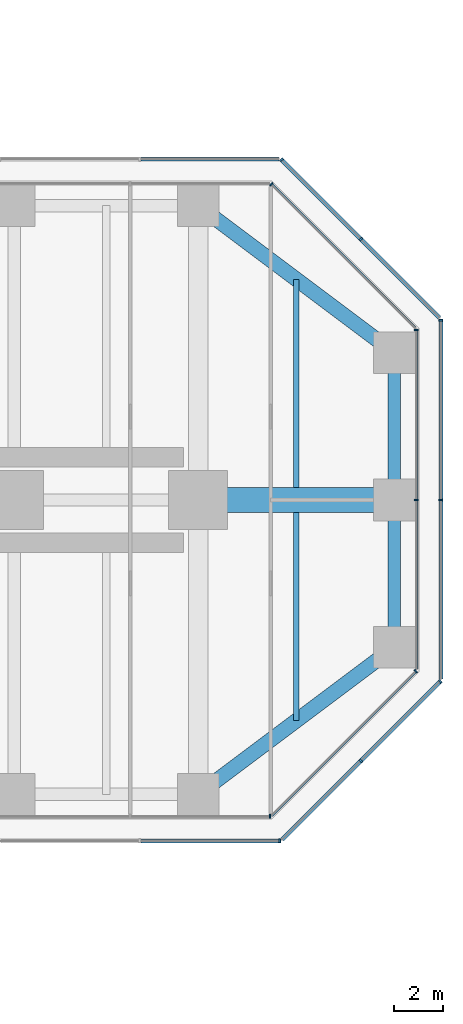
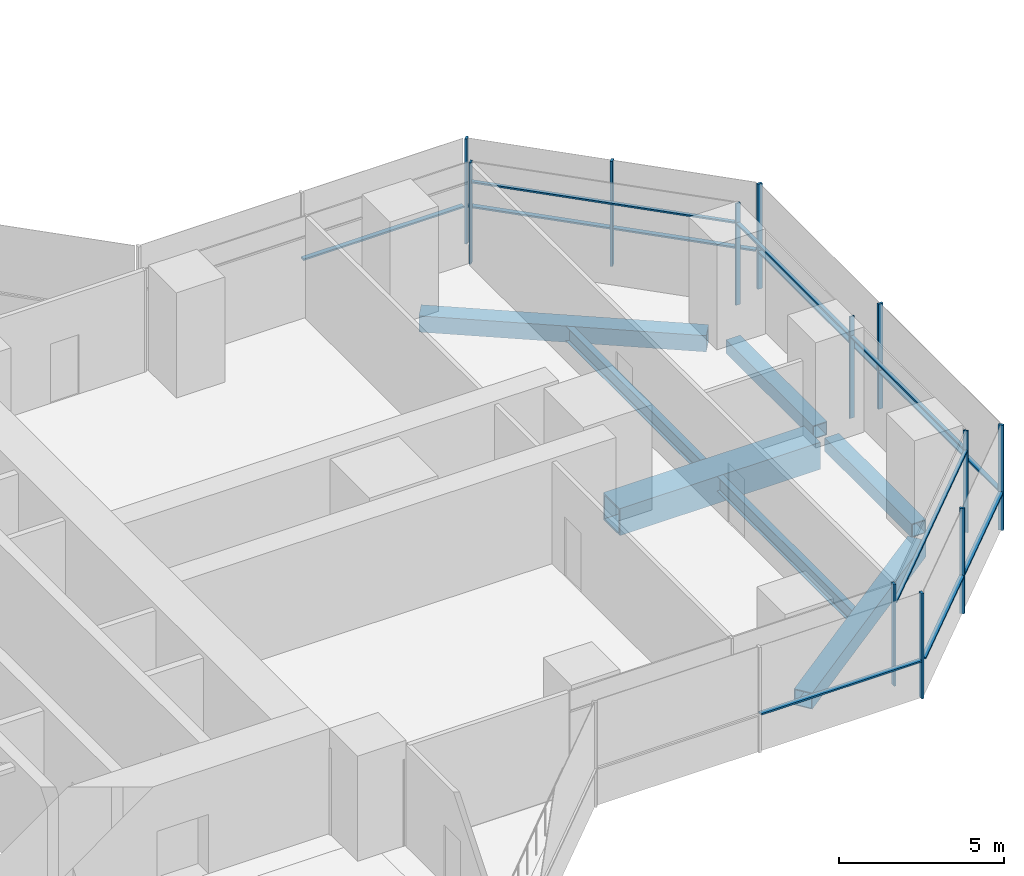
# One storey, part 12 of 22: 24 members, 7 beams, 9 elements without a shape of their own.
"""IFC4 building model written with IfcOpenShell, lengths in metres."""

from ifc_helpers import new_model, si_unit, direction, frame, origin, origin_2d, place, context, subcontext, project, spatial, rectangle, hollow_rectangle, i_section, extrude, material, material_profile, profile_set, type_object, element, aggregate, save


model = new_model("IFC4")

# Units and contexts
model_context = context("Model", 3, precision=1e-05, world=origin(), true_north=direction((0.0, 1.0)))
body_context = subcontext(model_context, "Body", "Model", "MODEL_VIEW")
ifc_project = project(units=[si_unit("LENGTHUNIT", "METRE"), si_unit("AREAUNIT", "SQUARE_METRE"), si_unit("VOLUMEUNIT", "CUBIC_METRE"), si_unit("PLANEANGLEUNIT", "RADIAN"), si_unit("MASSUNIT", "GRAM", prefix="KILO")], contexts=[model_context])

# Site, building, storey
site_placement = place(None, origin())
site = spatial("IfcSite", under=ifc_project, at=site_placement, CompositionType="ELEMENT")
building_placement = place(site_placement, origin())
building = spatial("IfcBuilding", under=site, at=building_placement, Name="Mizan Broadcast Tower", CompositionType="ELEMENT")
storey_placement = place(building_placement, frame((0.0, 0.0, 74.699951171875)))
storey = spatial("IfcBuildingStorey", under=building, at=storey_placement, Name="L15", CompositionType="ELEMENT", Elevation=74.699951171875)

# Beams
ifc_material_1 = material(Name="Steel S355", Category="steel")
ifc_material_profile_1 = material_profile(ifc_material_1, hollow_rectangle(XDim=0.5, YDim=0.5, WallThickness=0.030029296875, at=origin_2d()), Name="BOX 500x500x30")
ifc_profile_set_1 = profile_set([ifc_material_profile_1], Name="Steel S355")
beam_type_1 = type_object("IfcBeamType", Name="EDGE BEAM BOX 500x500x30", PredefinedType="SPANDREL", material=ifc_profile_set_1)
for number, where, z_axis, x_axis, name in (
    (1, (35.0, -5.639892578125, -0.3798828125), (0.0, 1.0, 0.0), (-1.0, 0.0, 0.0), "Edge beam BOX 500x500x30 L15 east arm"),
    (2, (35.0, 5.639892578125, -0.3798828125), (0.0, -1.0, 0.0), (1.0, 0.0, 0.0), "Edge beam BOX 500x500x30 L15 east arm"),
):
    element("IfcBeam", number, at=place(storey_placement, frame(where, z_axis=z_axis, x_axis=x_axis)), inside=storey, type_object=beam_type_1, Name=name, PredefinedType="SPANDREL", context=body_context, shape_type="SweptSolid", body=[
        extrude(hollow_rectangle(XDim=0.5, YDim=0.5, WallThickness=0.030029296875, at=origin_2d()), origin(), (0.0, 0.0, 1.0), 5.27978515625),
    ])
ifc_material_2 = material(Name="Steel S355", Category="steel")
ifc_material_profile_2 = material_profile(ifc_material_2, hollow_rectangle(XDim=0.60009765625, YDim=0.60009765625, WallThickness=0.030029296875, at=origin_2d()), Name="BOX 600x600x30")
ifc_profile_set_2 = profile_set([ifc_material_profile_2], Name="Steel S355")
beam_type_2 = type_object("IfcBeamType", Name="EDGE BEAM BOX 600x600x30", PredefinedType="SPANDREL", material=ifc_profile_set_2)
for number, where, z_axis, x_axis, name in (
    (3, (27.47998046875, -11.639892578125, -0.429931640625), (0.800013316712, 0.599982243973, 0.0), (-0.599982243973, 0.800013316712, 0.0), "Edge beam BOX 600x600x30 L15 east arm"),
    (4, (27.47998046875, 11.639892578125, -0.429931640625), (0.800013316712, -0.599982243973, 0.0), (0.599982243973, 0.800013316712, 0.0), "Edge beam BOX 600x600x30 L15 east arm"),
):
    element("IfcBeam", number, at=place(storey_placement, frame(where, z_axis=z_axis, x_axis=x_axis)), inside=storey, type_object=beam_type_2, Name=name, PredefinedType="SPANDREL", context=body_context, shape_type="SweptSolid", body=[
        extrude(hollow_rectangle(XDim=0.60009765625, YDim=0.60009765625, WallThickness=0.030029296875, at=origin_2d()), origin(), (0.0, 0.0, 1.0), 8.7998046875),
    ])
ifc_material_3 = material(Name="Steel S460", Category="steel")
ifc_material_profile_3 = material_profile(ifc_material_3, hollow_rectangle(XDim=1.0, YDim=1.0, WallThickness=0.06005859375, at=origin_2d()), Name="BOX 1000x1000x60")
ifc_profile_set_3 = profile_set([ifc_material_profile_3], Name="Steel S460")
beam_type_3 = type_object("IfcBeamType", Name="GIRDER BOX 1000x1000x60", PredefinedType="BEAM", material=ifc_profile_set_3)
beam_placement = place(storey_placement, frame((27.47998046875, 0.0, -0.6298828125), z_axis=(1.0, 0.0, 0.0), x_axis=(0.0, 1.0, 0.0)))
element("IfcBeam", 5, at=beam_placement, inside=storey, type_object=beam_type_3, Name="Girder BOX 1000x1000x60 L15 east arm", PredefinedType="BEAM", context=body_context, shape_type="SweptSolid", body=[
    extrude(hollow_rectangle(XDim=1.0, YDim=1.0, WallThickness=0.06005859375, at=origin_2d()), origin(), (0.0, 0.0, 1.0), 7.0400390625),
])

# Curtain wall, member
ifc_material_4 = material(Name="Aluminium framed glazing", Category="aluminium")
curtain_wall_type_1 = type_object("IfcCurtainWallType", Name="INNER SKIN LOW ZONE", PredefinedType="USERDEFINED", material=ifc_material_4)
curtain_wall_1_placement = place(storey_placement, origin())
curtain_wall_1 = element("IfcCurtainWall", 6, at=curtain_wall_1_placement, inside=storey, type_object=curtain_wall_type_1, Name="Inner skin low zone L15 E side", ObjectType="INNER SKIN LOW ZONE", PredefinedType="USERDEFINED")
ifc_material_5 = material(Name="Aluminium, pale anodised", Category="aluminium")
ifc_material_profile_4 = material_profile(ifc_material_5, rectangle(XDim=0.159912109375, YDim=0.06005859375, at=origin_2d()), Name="MULLION 160x60")
ifc_profile_set_4 = profile_set([ifc_material_profile_4], Name="Aluminium, pale anodised")
member_type_1 = type_object("IfcMemberType", Name="INNER SKIN MULLION 60x160", PredefinedType="MULLION", material=ifc_profile_set_4)
member_1_placement = place(storey_placement, frame((29.928466796875, -12.89990234375, 0.0), z_axis=(0.0, 0.0, 1.0), x_axis=(0.0, 1.0, 0.0)))
member_1 = element("IfcMember", 7, at=member_1_placement, type_object=member_type_1, Name="Inner skin low zone L15 E side mullion 3", PredefinedType="MULLION", context=body_context, shape_type="SweptSolid", body=[
    extrude(rectangle(XDim=0.159912109375, YDim=0.06005859375, at=origin_2d()), origin(), (0.0, 0.0, 1.0), 3.77001953125),
])
aggregate(curtain_wall_1, [member_1])

curtain_wall_2_placement = place(storey_placement, origin())
curtain_wall_2 = element("IfcCurtainWall", 8, at=curtain_wall_2_placement, inside=storey, type_object=curtain_wall_type_1, Name="Inner skin low zone L15 E chamfer", ObjectType="INNER SKIN LOW ZONE", PredefinedType="USERDEFINED")
member_2_placement = place(storey_placement, frame((35.87890625, -6.979736328125, 0.0), z_axis=(0.0, 0.0, 1.0), x_axis=(-0.707106781187, 0.707106781187, 0.0)))
member_2 = element("IfcMember", 9, at=member_2_placement, type_object=member_type_1, Name="Inner skin low zone L15 E chamfer mullion 2", PredefinedType="MULLION", context=body_context, shape_type="SweptSolid", body=[
    extrude(rectangle(XDim=0.159912109375, YDim=0.06005859375, at=origin_2d()), origin(), (0.0, 0.0, 1.0), 3.77001953125),
])

# Curtain wall, members
curtain_wall_3_placement = place(storey_placement, origin())
curtain_wall_3 = element("IfcCurtainWall", 10, at=curtain_wall_3_placement, inside=storey, type_object=curtain_wall_type_1, Name="Inner skin low zone L15 E end", ObjectType="INNER SKIN LOW ZONE", PredefinedType="USERDEFINED")
member_3_placement = place(storey_placement, frame((35.89990234375, 0.0, 0.0), z_axis=(0.0, 0.0, 1.0), x_axis=(-1.0, 0.0, 0.0)))
member_3 = element("IfcMember", 11, at=member_3_placement, type_object=member_type_1, Name="Inner skin low zone L15 E end mullion 2", PredefinedType="MULLION", context=body_context, shape_type="SweptSolid", body=[
    extrude(rectangle(XDim=0.159912109375, YDim=0.06005859375, at=origin_2d()), origin(), (0.0, 0.0, 1.0), 3.77001953125),
])
member_4_placement = place(storey_placement, frame((35.89990234375, 6.928466796875, 0.0), z_axis=(0.0, 0.0, 1.0), x_axis=(-1.0, 0.0, 0.0)))
member_4 = element("IfcMember", 12, at=member_4_placement, type_object=member_type_1, Name="Inner skin low zone L15 E end mullion 3", PredefinedType="MULLION", context=body_context, shape_type="SweptSolid", body=[
    extrude(rectangle(XDim=0.159912109375, YDim=0.06005859375, at=origin_2d()), origin(), (0.0, 0.0, 1.0), 3.77001953125),
])

# Curtain wall, member
curtain_wall_4_placement = place(storey_placement, origin())
curtain_wall_4 = element("IfcCurtainWall", 13, at=curtain_wall_4_placement, inside=storey, type_object=curtain_wall_type_1, Name="Inner skin low zone L15 E chamfer", ObjectType="INNER SKIN LOW ZONE", PredefinedType="USERDEFINED")
member_5_placement = place(storey_placement, frame((29.979736328125, 12.87890625, 0.0), z_axis=(0.0, 0.0, 1.0), x_axis=(-0.707106781187, -0.707106781187, 0.0)))
member_5 = element("IfcMember", 14, at=member_5_placement, type_object=member_type_1, Name="Inner skin low zone L15 E chamfer mullion 2", PredefinedType="MULLION", context=body_context, shape_type="SweptSolid", body=[
    extrude(rectangle(XDim=0.159912109375, YDim=0.06005859375, at=origin_2d()), origin(), (0.0, 0.0, 1.0), 3.77001953125),
])

# Member
ifc_material_6 = material(Name="Aluminium, pale anodised", Category="aluminium")
ifc_material_profile_5 = material_profile(ifc_material_6, rectangle(XDim=0.1201171875, YDim=0.06005859375, at=origin_2d()), Name="TRANSOM 120x60")
ifc_profile_set_5 = profile_set([ifc_material_profile_5], Name="Aluminium, pale anodised")
member_type_2 = type_object("IfcMemberType", Name="INNER SKIN TRANSOM 60x120", PredefinedType="USERDEFINED", material=ifc_profile_set_5)
member_6_placement = place(storey_placement, frame((30.0009765625, -12.857666015625, 3.030029296875), z_axis=(0.707106781187, 0.707106781187, 0.0), x_axis=(-0.707106781187, 0.707106781187, 0.0)))
member_6 = element("IfcMember", 15, at=member_6_placement, type_object=member_type_2, Name="Inner skin low zone L15 E chamfer transom 1.1", ObjectType="TRANSOM", PredefinedType="USERDEFINED", context=body_context, shape_type="SweptSolid", body=[
    extrude(rectangle(XDim=0.1201171875, YDim=0.06005859375, at=origin_2d()), origin(), (0.0, 0.0, 1.0), 8.28271484375),
])

aggregate(curtain_wall_2, [member_2, member_6])

member_7_placement = place(storey_placement, frame((35.89990234375, -6.898681640625, 3.030029296875), z_axis=(0.0, 1.0, 0.0), x_axis=(-1.0, 0.0, 0.0)))
member_7 = element("IfcMember", 16, at=member_7_placement, type_object=member_type_2, Name="Inner skin low zone L15 E end transom 1.1", ObjectType="TRANSOM", PredefinedType="USERDEFINED", context=body_context, shape_type="SweptSolid", body=[
    extrude(rectangle(XDim=0.1201171875, YDim=0.06005859375, at=origin_2d()), origin(), (0.0, 0.0, 1.0), 6.86865234375),
])

member_8_placement = place(storey_placement, frame((35.89990234375, 0.030029296875, 3.030029296875), z_axis=(0.0, 1.0, 0.0), x_axis=(-1.0, 0.0, 0.0)))
member_8 = element("IfcMember", 17, at=member_8_placement, type_object=member_type_2, Name="Inner skin low zone L15 E end transom 2.1", ObjectType="TRANSOM", PredefinedType="USERDEFINED", context=body_context, shape_type="SweptSolid", body=[
    extrude(rectangle(XDim=0.1201171875, YDim=0.06005859375, at=origin_2d()), origin(), (0.0, 0.0, 1.0), 6.86865234375),
])

aggregate(curtain_wall_3, [member_3, member_4, member_7, member_8])

member_9_placement = place(storey_placement, frame((35.857666015625, 7.0009765625, 3.030029296875), z_axis=(-0.707106781187, 0.707106781187, 0.0), x_axis=(-0.707106781187, -0.707106781187, 0.0)))
member_9 = element("IfcMember", 18, at=member_9_placement, type_object=member_type_2, Name="Inner skin low zone L15 E chamfer transom 1.1", ObjectType="TRANSOM", PredefinedType="USERDEFINED", context=body_context, shape_type="SweptSolid", body=[
    extrude(rectangle(XDim=0.1201171875, YDim=0.06005859375, at=origin_2d()), origin(), (0.0, 0.0, 1.0), 8.28271484375),
])

aggregate(curtain_wall_4, [member_5, member_9])

# Curtain wall, members
ifc_material_7 = material(Name="Aluminium framed glazing", Category="aluminium")
curtain_wall_type_2 = type_object("IfcCurtainWallType", Name="OUTER SKIN", PredefinedType="USERDEFINED", material=ifc_material_7)
curtain_wall_5_placement = place(storey_placement, origin())
curtain_wall_5 = element("IfcCurtainWall", 19, at=curtain_wall_5_placement, inside=storey, type_object=curtain_wall_type_2, Name="Outer skin L15 E chamfer", ObjectType="OUTER SKIN", PredefinedType="USERDEFINED")
ifc_material_8 = material(Name="Aluminium, pale anodised", Category="aluminium")
ifc_material_profile_6 = material_profile(ifc_material_8, rectangle(XDim=0.159912109375, YDim=0.080078125, at=origin_2d()), Name="MULLION 160x80")
ifc_profile_set_6 = profile_set([ifc_material_profile_6], Name="Aluminium, pale anodised")
member_type_3 = type_object("IfcMemberType", Name="OUTER SKIN MULLION 80x160", PredefinedType="MULLION", material=ifc_profile_set_6)
member_10_placement = place(storey_placement, frame((33.636474609375, -10.636474609375, 0.0), z_axis=(0.0, 0.0, 1.0), x_axis=(-0.707106781187, 0.707106781187, 0.0)))
member_10 = element("IfcMember", 20, at=member_10_placement, type_object=member_type_3, Name="Outer skin L15 E chamfer mullion 2", PredefinedType="MULLION", context=body_context, shape_type="SweptSolid", body=[
    extrude(rectangle(XDim=0.159912109375, YDim=0.080078125, at=origin_2d()), origin(), (0.0, 0.0, 1.0), 3.900146484375),
])
member_11_placement = place(storey_placement, frame((36.871826171875, -7.401123046875, 0.0), z_axis=(0.0, 0.0, 1.0), x_axis=(-0.707106781187, 0.707106781187, 0.0)))
member_11 = element("IfcMember", 21, at=member_11_placement, type_object=member_type_3, Name="Outer skin L15 E chamfer mullion 3", PredefinedType="MULLION", context=body_context, shape_type="SweptSolid", body=[
    extrude(rectangle(XDim=0.159912109375, YDim=0.080078125, at=origin_2d()), origin(), (0.0, 0.0, 1.0), 3.900146484375),
])

curtain_wall_6_placement = place(storey_placement, origin())
curtain_wall_6 = element("IfcCurtainWall", 22, at=curtain_wall_6_placement, inside=storey, type_object=curtain_wall_type_2, Name="Outer skin L15 E end", ObjectType="OUTER SKIN", PredefinedType="USERDEFINED")
member_12_placement = place(storey_placement, frame((36.89990234375, 0.0, 0.0), z_axis=(0.0, 0.0, 1.0), x_axis=(-1.0, 0.0, 0.0)))
member_12 = element("IfcMember", 23, at=member_12_placement, type_object=member_type_3, Name="Outer skin L15 E end mullion 2", PredefinedType="MULLION", context=body_context, shape_type="SweptSolid", body=[
    extrude(rectangle(XDim=0.159912109375, YDim=0.080078125, at=origin_2d()), origin(), (0.0, 0.0, 1.0), 3.900146484375),
])
member_13_placement = place(storey_placement, frame((36.89990234375, 7.332763671875, 0.0), z_axis=(0.0, 0.0, 1.0), x_axis=(-1.0, 0.0, 0.0)))
member_13 = element("IfcMember", 24, at=member_13_placement, type_object=member_type_3, Name="Outer skin L15 E end mullion 3", PredefinedType="MULLION", context=body_context, shape_type="SweptSolid", body=[
    extrude(rectangle(XDim=0.159912109375, YDim=0.080078125, at=origin_2d()), origin(), (0.0, 0.0, 1.0), 3.900146484375),
])

curtain_wall_7_placement = place(storey_placement, origin())
curtain_wall_7 = element("IfcCurtainWall", 25, at=curtain_wall_7_placement, inside=storey, type_object=curtain_wall_type_2, Name="Outer skin L15 E chamfer", ObjectType="OUTER SKIN", PredefinedType="USERDEFINED")
member_14_placement = place(storey_placement, frame((33.636474609375, 10.636474609375, 0.0), z_axis=(0.0, 0.0, 1.0), x_axis=(-0.707106781187, -0.707106781187, 0.0)))
member_14 = element("IfcMember", 26, at=member_14_placement, type_object=member_type_3, Name="Outer skin L15 E chamfer mullion 2", PredefinedType="MULLION", context=body_context, shape_type="SweptSolid", body=[
    extrude(rectangle(XDim=0.159912109375, YDim=0.080078125, at=origin_2d()), origin(), (0.0, 0.0, 1.0), 3.900146484375),
])
member_15_placement = place(storey_placement, frame((30.401123046875, 13.871826171875, 0.0), z_axis=(0.0, 0.0, 1.0), x_axis=(-0.707106781187, -0.707106781187, 0.0)))
member_15 = element("IfcMember", 27, at=member_15_placement, type_object=member_type_3, Name="Outer skin L15 E chamfer mullion 3", PredefinedType="MULLION", context=body_context, shape_type="SweptSolid", body=[
    extrude(rectangle(XDim=0.159912109375, YDim=0.080078125, at=origin_2d()), origin(), (0.0, 0.0, 1.0), 3.900146484375),
])

# Curtain wall, member
curtain_wall_8_placement = place(storey_placement, origin())
curtain_wall_8 = element("IfcCurtainWall", 28, at=curtain_wall_8_placement, inside=storey, type_object=curtain_wall_type_2, Name="Outer skin L15 E side", ObjectType="OUTER SKIN", PredefinedType="USERDEFINED")
member_16_placement = place(storey_placement, frame((30.332763671875, -13.89990234375, 0.0), z_axis=(0.0, 0.0, 1.0), x_axis=(0.0, 1.0, 0.0)))
member_16 = element("IfcMember", 29, at=member_16_placement, type_object=member_type_3, Name="Outer skin L15 E side mullion 3", PredefinedType="MULLION", context=body_context, shape_type="SweptSolid", body=[
    extrude(rectangle(XDim=0.159912109375, YDim=0.080078125, at=origin_2d()), origin(), (0.0, 0.0, 1.0), 3.900146484375),
])

# Member
ifc_material_9 = material(Name="Aluminium, pale anodised", Category="aluminium")
ifc_material_profile_7 = material_profile(ifc_material_9, rectangle(XDim=0.159912109375, YDim=0.06005859375, at=origin_2d()), Name="TRANSOM 160x60")
ifc_profile_set_7 = profile_set([ifc_material_profile_7], Name="Aluminium, pale anodised")
member_type_4 = type_object("IfcMemberType", Name="OUTER SKIN TRANSOM 60x160", PredefinedType="USERDEFINED", material=ifc_profile_set_7)
member_17_placement = place(storey_placement, frame((30.429443359375, -13.843505859375, 1.400146484375), z_axis=(0.707106781187, 0.707106781187, 0.0), x_axis=(-0.707106781187, 0.707106781187, 0.0)))
member_17 = element("IfcMember", 30, at=member_17_placement, type_object=member_type_4, Name="Outer skin L15 E chamfer transom 1.1", ObjectType="TRANSOM", PredefinedType="USERDEFINED", context=body_context, shape_type="SweptSolid", body=[
    extrude(rectangle(XDim=0.159912109375, YDim=0.06005859375, at=origin_2d()), origin(), (0.0, 0.0, 1.0), 4.495361328125),
])

member_18_placement = place(storey_placement, frame((33.664794921875, -10.608154296875, 1.400146484375), z_axis=(0.707106781187, 0.707106781187, 0.0), x_axis=(-0.707106781187, 0.707106781187, 0.0)))
member_18 = element("IfcMember", 31, at=member_18_placement, type_object=member_type_4, Name="Outer skin L15 E chamfer transom 2.1", ObjectType="TRANSOM", PredefinedType="USERDEFINED", context=body_context, shape_type="SweptSolid", body=[
    extrude(rectangle(XDim=0.159912109375, YDim=0.06005859375, at=origin_2d()), origin(), (0.0, 0.0, 1.0), 4.495361328125),
])

aggregate(curtain_wall_5, [member_10, member_11, member_17, member_18])

member_19_placement = place(storey_placement, frame((36.89990234375, -7.292724609375, 1.400146484375), z_axis=(0.0, 1.0, 0.0), x_axis=(-1.0, 0.0, 0.0)))
member_19 = element("IfcMember", 32, at=member_19_placement, type_object=member_type_4, Name="Outer skin L15 E end transom 1.1", ObjectType="TRANSOM", PredefinedType="USERDEFINED", context=body_context, shape_type="SweptSolid", body=[
    extrude(rectangle(XDim=0.159912109375, YDim=0.06005859375, at=origin_2d()), origin(), (0.0, 0.0, 1.0), 7.252685546875),
])

member_20_placement = place(storey_placement, frame((36.89990234375, 0.0400390625, 1.400146484375), z_axis=(0.0, 1.0, 0.0), x_axis=(-1.0, 0.0, 0.0)))
member_20 = element("IfcMember", 33, at=member_20_placement, type_object=member_type_4, Name="Outer skin L15 E end transom 2.1", ObjectType="TRANSOM", PredefinedType="USERDEFINED", context=body_context, shape_type="SweptSolid", body=[
    extrude(rectangle(XDim=0.159912109375, YDim=0.06005859375, at=origin_2d()), origin(), (0.0, 0.0, 1.0), 7.252685546875),
])

aggregate(curtain_wall_6, [member_12, member_13, member_19, member_20])

member_21_placement = place(storey_placement, frame((36.843505859375, 7.429443359375, 1.400146484375), z_axis=(-0.707106781187, 0.707106781187, 0.0), x_axis=(-0.707106781187, -0.707106781187, 0.0)))
member_21 = element("IfcMember", 34, at=member_21_placement, type_object=member_type_4, Name="Outer skin L15 E chamfer transom 1.1", ObjectType="TRANSOM", PredefinedType="USERDEFINED", context=body_context, shape_type="SweptSolid", body=[
    extrude(rectangle(XDim=0.159912109375, YDim=0.06005859375, at=origin_2d()), origin(), (0.0, 0.0, 1.0), 4.495361328125),
])

member_22_placement = place(storey_placement, frame((33.608154296875, 10.664794921875, 1.400146484375), z_axis=(-0.707106781187, 0.707106781187, 0.0), x_axis=(-0.707106781187, -0.707106781187, 0.0)))
member_22 = element("IfcMember", 35, at=member_22_placement, type_object=member_type_4, Name="Outer skin L15 E chamfer transom 2.1", ObjectType="TRANSOM", PredefinedType="USERDEFINED", context=body_context, shape_type="SweptSolid", body=[
    extrude(rectangle(XDim=0.159912109375, YDim=0.06005859375, at=origin_2d()), origin(), (0.0, 0.0, 1.0), 4.495361328125),
])

aggregate(curtain_wall_7, [member_14, member_15, member_21, member_22])

# Curtain wall, member
curtain_wall_9_placement = place(storey_placement, origin())
curtain_wall_9 = element("IfcCurtainWall", 36, at=curtain_wall_9_placement, inside=storey, type_object=curtain_wall_type_2, Name="Outer skin L15 E side", ObjectType="OUTER SKIN", PredefinedType="USERDEFINED")
member_23_placement = place(storey_placement, frame((30.292724609375, 13.89990234375, 1.400146484375), z_axis=(-1.0, 0.0, 0.0), x_axis=(0.0, -1.0, 0.0)))
member_23 = element("IfcMember", 37, at=member_23_placement, type_object=member_type_4, Name="Outer skin L15 E side transom 1.1", ObjectType="TRANSOM", PredefinedType="USERDEFINED", context=body_context, shape_type="SweptSolid", body=[
    extrude(rectangle(XDim=0.159912109375, YDim=0.06005859375, at=origin_2d()), origin(), (0.0, 0.0, 1.0), 5.6298828125),
])
aggregate(curtain_wall_9, [member_23])

# Member
member_24_placement = place(storey_placement, frame((24.662841796875, -13.89990234375, 1.400146484375), z_axis=(1.0, 0.0, 0.0), x_axis=(0.0, 1.0, 0.0)))
member_24 = element("IfcMember", 38, at=member_24_placement, type_object=member_type_4, Name="Outer skin L15 E side transom 2.1", ObjectType="TRANSOM", PredefinedType="USERDEFINED", context=body_context, shape_type="SweptSolid", body=[
    extrude(rectangle(XDim=0.159912109375, YDim=0.06005859375, at=origin_2d()), origin(), (0.0, 0.0, 1.0), 5.6298828125),
])

aggregate(curtain_wall_8, [member_16, member_24])

# Beams
ifc_material_10 = material(Name="Steel S355", Category="steel")
ifc_material_profile_8 = material_profile(ifc_material_10, i_section(OverallWidth=0.2099609375, OverallDepth=0.550048828125, WebThickness=0.010986328125, FlangeThickness=0.01708984375, FilletRadius=0.02392578125, at=origin_2d()), Name="IPE 550")
ifc_profile_set_8 = profile_set([ifc_material_profile_8], Name="Steel S355")
beam_type_4 = type_object("IfcBeamType", Name="SECONDARY BEAM IPE 550", PredefinedType="JOIST", material=ifc_profile_set_8)
for number, where, z_axis, x_axis, name in (
    (39, (31.0, -9.0, -0.405029296875), (0.0, 1.0, 0.0), (-1.0, 0.0, 0.0), "Secondary beam IPE 550 L15 east arm"),
    (40, (31.0, 9.0, -0.405029296875), (0.0, -1.0, 0.0), (1.0, 0.0, 0.0), "Secondary beam IPE 550 L15 east arm"),
):
    element("IfcBeam", number, at=place(storey_placement, frame(where, z_axis=z_axis, x_axis=x_axis)), inside=storey, type_object=beam_type_4, Name=name, PredefinedType="JOIST", context=body_context, shape_type="SweptSolid", body=[
        extrude(i_section(OverallWidth=0.2099609375, OverallDepth=0.550048828125, WebThickness=0.010986328125, FlangeThickness=0.01708984375, FilletRadius=0.02392578125, at=origin_2d()), origin(), (0.0, 0.0, 1.0), 8.5),
    ])

save(model, "model.ifc")
